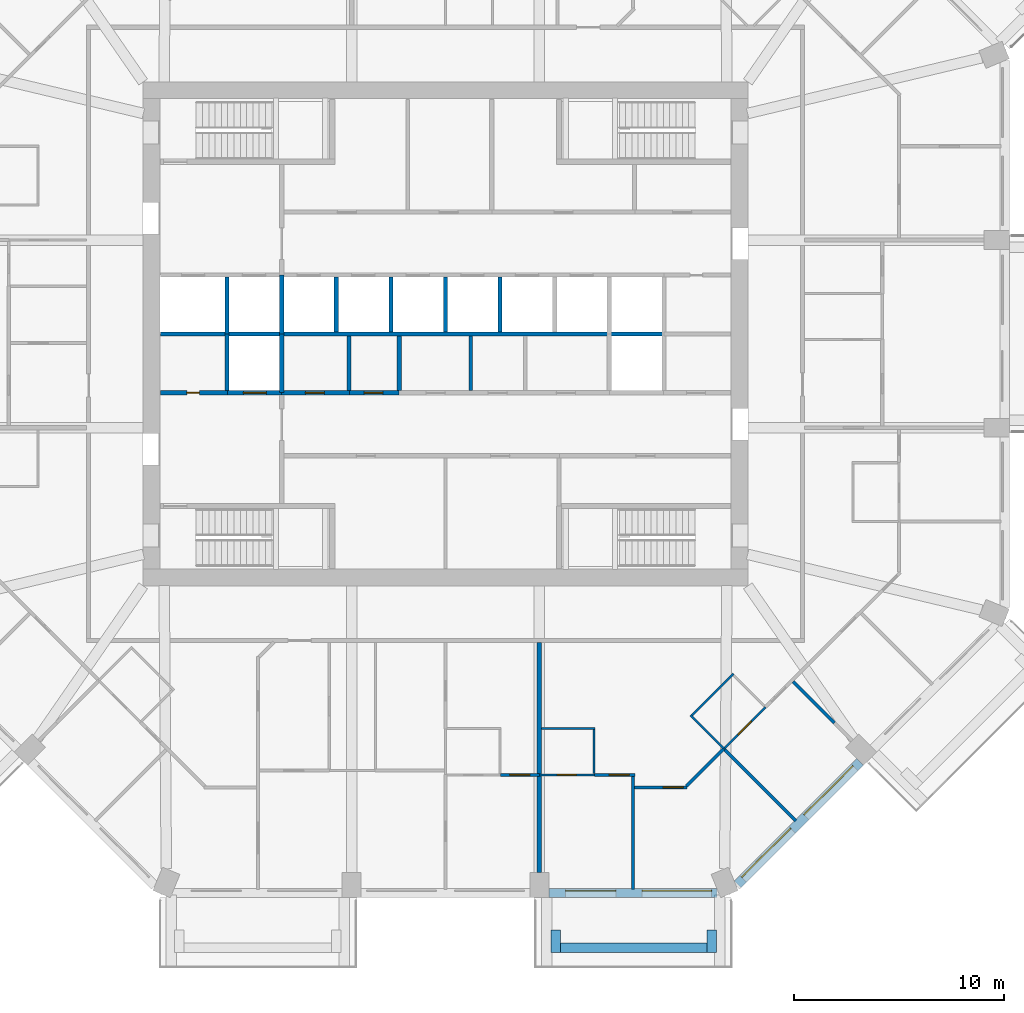
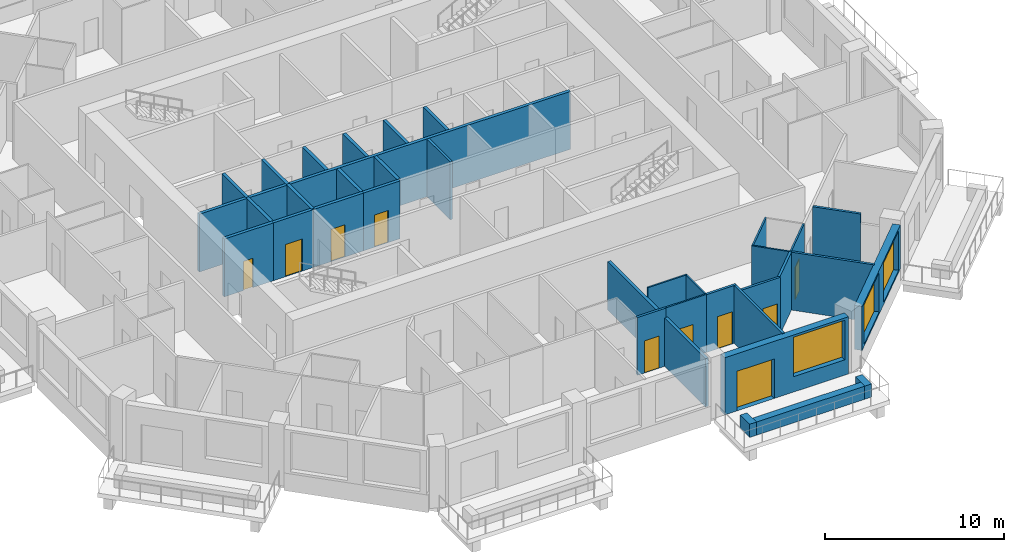
# One storey, part 5 of 13: 35 walls, 10 doors, 3 windows, 13 openings.
"""IFC4 building model written with IfcOpenShell, lengths in metres."""

import ifcopenshell
import ifcopenshell.guid

model = None  # the IFC model being written
_history = None  # IfcOwnerHistory: only IFC2X3 demands one
_inside = {}  # id of a spatial element -> (the spatial element, [elements in it])
_under = {}  # id of a project, library or spatial element -> (it, [spatial elements below it])
_declared = {}  # id of a project -> (the project, [libraries it declares])
_typed = {}  # id of a type object -> (the type object, [elements of that type])
_made_of = {}  # id of a material, layer set ... -> (it, [elements and type objects made of it])


def new_model(schema):
    """Start an empty IFC model of exactly this schema.

    Asked for "IFC4X3", IfcOpenShell would pick the latest addendum, in which some entities
    have other attributes; the version numbers below select the first issue.
    IFC2X3 requires an IfcOwnerHistory on every rooted entity: one is made here for all.
    """
    global model, _history
    if schema == "IFC4X3":
        model = ifcopenshell.file(schema_version=(4, 3, 0, 0))
    else:
        model = ifcopenshell.file(schema=schema)
    _inside.clear()
    _under.clear()
    _declared.clear()
    _typed.clear()
    _made_of.clear()
    _history = None
    if model.schema == "IFC2X3":
        org = make("IfcOrganization", Name="unknown")
        user = make(
            "IfcPersonAndOrganization",
            ThePerson=make("IfcPerson", FamilyName="unknown"),
            TheOrganization=org,
        )
        app = make(
            "IfcApplication",
            ApplicationDeveloper=org,
            Version="unknown",
            ApplicationFullName="unknown",
            ApplicationIdentifier="unknown",
        )
        _history = make(
            "IfcOwnerHistory",
            OwningUser=user,
            OwningApplication=app,
            ChangeAction="ADDED",
            CreationDate=0,
        )
    return model


def make(cls, **values):
    """One entity of the class cls with the attributes given. An attribute that is None is left unset."""
    return model.create_entity(
        cls, **{name: value for name, value in values.items() if value is not None}
    )


def rooted(cls, **values):
    """An entity with a GlobalId (a new one), such as an element, a storey or a relation."""
    return make(cls, GlobalId=ifcopenshell.guid.new(), OwnerHistory=_history, **values)


def si_unit(unit_type, name, prefix=None):
    """IfcSIUnit, for example si_unit("LENGTHUNIT", "METRE", prefix="MILLI")."""
    return make("IfcSIUnit", UnitType=unit_type, Prefix=prefix, Name=name)


def assignment(units):
    """IfcUnitAssignment: the units of a project."""
    return None if units is None else make("IfcUnitAssignment", Units=units)


def point(xyz):
    """IfcCartesianPoint."""
    return None if xyz is None else make("IfcCartesianPoint", Coordinates=xyz)


def direction(xyz):
    """IfcDirection."""
    return None if xyz is None else make("IfcDirection", DirectionRatios=xyz)


def frame(location, z_axis=None, x_axis=None):
    """IfcAxis2Placement3D, a coordinate frame: its origin and axes. An axis left out is left unset."""
    return make(
        "IfcAxis2Placement3D",
        Location=point(location),
        Axis=direction(z_axis),
        RefDirection=direction(x_axis),
    )


def frame_2d(location, x_axis=None):
    """IfcAxis2Placement2D, a coordinate frame in the plane: its origin and x axis."""
    return make(
        "IfcAxis2Placement2D", Location=point(location), RefDirection=direction(x_axis)
    )


def origin():
    """The frame at (0, 0, 0) with its axes left unset."""
    return frame((0.0, 0.0, 0.0))


def place(relative_to, where):
    """IfcLocalPlacement: puts the frame where relative to a parent placement (None: the world)."""
    return make(
        "IfcLocalPlacement", PlacementRelTo=relative_to, RelativePlacement=where
    )


def context(
    kind, dimensions, precision=None, world=None, true_north=None, identifier=None
):
    """IfcGeometricRepresentationContext, for example the 3D "Model" context."""
    return make(
        "IfcGeometricRepresentationContext",
        ContextIdentifier=identifier,
        ContextType=kind,
        CoordinateSpaceDimension=dimensions,
        Precision=precision,
        WorldCoordinateSystem=world,
        TrueNorth=true_north,
    )


def subcontext(parent, identifier, kind, view, scale=None):
    """IfcGeometricRepresentationSubContext, for example "Body" below "Model"."""
    return make(
        "IfcGeometricRepresentationSubContext",
        ContextIdentifier=identifier,
        ContextType=kind,
        ParentContext=parent,
        TargetScale=scale,
        TargetView=view,
    )


def project(units=None, contexts=None):
    """IfcProject with its units and contexts."""
    return rooted(
        "IfcProject",
        Name="project",
        RepresentationContexts=contexts,
        UnitsInContext=assignment(units),
    )


def spatial(cls, under=None, at=None, **own):
    """A site, building, storey or space (cls), placed at a placement, below another one or the project."""
    s = rooted(cls, ObjectPlacement=at, **own)
    if under is not None:
        _under.setdefault(under.id(), (under, []))[1].append(s)
    return s


def profile(cls, at=None, kind="AREA", **sizes):
    """A parametric profile (cls). Its sizes go by their IFC names, for example OverallWidth=200.0."""
    return make(cls, ProfileType=kind, Position=at, **sizes)


def rectangle(**sizes):
    """IfcRectangleProfileDef."""
    return profile("IfcRectangleProfileDef", **sizes)


def extrude(swept, where, along, depth):
    """IfcExtrudedAreaSolid: the profile swept, set in the frame where, extruded along a direction by depth."""
    return make(
        "IfcExtrudedAreaSolid",
        SweptArea=swept,
        Position=where,
        ExtrudedDirection=direction(along),
        Depth=depth,
    )


def shape(context_of_items, identifier, shape_type, items):
    """IfcShapeRepresentation: the items that make up one representation, for example the "Body"."""
    return make(
        "IfcShapeRepresentation",
        ContextOfItems=context_of_items,
        RepresentationIdentifier=identifier,
        RepresentationType=shape_type,
        Items=items,
    )


def material(Name=None, Category=None):
    """IfcMaterial."""
    return make("IfcMaterial", Name=Name, Category=Category)


def layer(
    of_material, thickness, ventilated=None, Name=None, Category=None, Priority=None
):
    """IfcMaterialLayer: one layer of a wall or slab, of a material (None: an air gap)."""
    return make(
        "IfcMaterialLayer",
        Material=of_material,
        LayerThickness=thickness,
        IsVentilated=ventilated,
        Name=Name,
        Category=Category,
        Priority=Priority,
    )


def layer_set(layers, Name=None):
    """IfcMaterialLayerSet."""
    return make("IfcMaterialLayerSet", MaterialLayers=layers, LayerSetName=Name)


def made_of(thing, what):
    """Note that an element or type object is made of a material, layer set ...; save() writes the relation."""
    if what is not None:
        _made_of.setdefault(what.id(), (what, []))[1].append(thing)
    return thing


def type_object(cls, material=None, **own):
    """A type object (cls), such as IfcWallType, which elements share."""
    return made_of(rooted(cls, **own), material)


def element(
    cls,
    number,
    at=None,
    inside=None,
    cuts=None,
    type_object=None,
    material=None,
    context=None,
    identifier="Body",
    shape_type=None,
    held_by="IfcProductDefinitionShape",
    body=None,
    shapes=None,
    **own,
):
    """One element of the class cls, such as IfcWall. Its Tag is "e" and its number.

    at: its placement. inside: the storey or other place that contains it. cuts: it is an
    opening in that element (IfcRelVoidsElement). A single representation is given by context,
    identifier, shape_type and body (its items); several are given by shapes. held_by: the class
    of the entity that holds the representations. save() writes the other relations.
    """
    e = rooted(cls, Tag="e%d" % number, ObjectPlacement=at, **own)
    if body is not None:
        shapes = [shape(context, identifier, shape_type, body)]
    if shapes is not None:
        e.Representation = make(held_by, Representations=shapes)
    if inside is not None:
        _inside.setdefault(inside.id(), (inside, []))[1].append(e)
    if cuts is not None:
        rooted(
            "IfcRelVoidsElement", RelatingBuildingElement=cuts, RelatedOpeningElement=e
        )
    if type_object is not None:
        _typed.setdefault(type_object.id(), (type_object, []))[1].append(e)
    return made_of(e, material)


def fill(opening, filler):
    """IfcRelFillsElement: the door or window that sits in an opening."""
    return rooted(
        "IfcRelFillsElement",
        RelatingOpeningElement=opening,
        RelatedBuildingElement=filler,
    )


def aggregate(whole, parts):
    """IfcRelAggregates: a whole, such as a stair, and the parts it consists of."""
    return rooted("IfcRelAggregates", RelatingObject=whole, RelatedObjects=parts)


def save(model, path):
    """Write the relations noted so far, then the file.

    IfcRelAggregates (storeys below a building ...), IfcRelContainedInSpatialStructure (elements
    in a storey), IfcRelDefinesByType, IfcRelAssociatesMaterial and IfcRelDeclares: one each for
    every whole, place, type object, material and project.
    """
    for whole, parts in _under.values():
        aggregate(whole, parts)
    for where, things in _inside.values():
        rooted(
            "IfcRelContainedInSpatialStructure",
            RelatedElements=things,
            RelatingStructure=where,
        )
    for kind, things in _typed.values():
        rooted("IfcRelDefinesByType", RelatedObjects=things, RelatingType=kind)
    for what, things in _made_of.values():
        rooted("IfcRelAssociatesMaterial", RelatedObjects=things, RelatingMaterial=what)
    for by, libraries in _declared.values():
        rooted("IfcRelDeclares", RelatingContext=by, RelatedDefinitions=libraries)
    model.write(path)


model = new_model("IFC4")

# Units and contexts
model_context = context("Model", 3, precision=1e-05, world=origin(), true_north=direction((0.0, 1.0)))
body_context = subcontext(model_context, "Body", "Model", "MODEL_VIEW")
ifc_project = project(units=[si_unit("LENGTHUNIT", "METRE"), si_unit("AREAUNIT", "SQUARE_METRE"), si_unit("VOLUMEUNIT", "CUBIC_METRE"), si_unit("PLANEANGLEUNIT", "RADIAN"), si_unit("MASSUNIT", "GRAM", prefix="KILO")], contexts=[model_context])

# Site, building, storey
site_placement = place(None, origin())
site = spatial("IfcSite", under=ifc_project, at=site_placement, CompositionType="ELEMENT")
building_placement = place(site_placement, origin())
building = spatial("IfcBuilding", under=site, at=building_placement, Name="Msitu Wima Residences", CompositionType="ELEMENT")
storey_placement = place(building_placement, frame((0.0, 0.0, 114.89990234375)))
storey = spatial("IfcBuildingStorey", under=building, at=storey_placement, Name="L26", CompositionType="ELEMENT", Elevation=114.89990234375)

# Walls
ifc_material_1 = material(Name="Facing brick")
ifc_layer_1 = layer(ifc_material_1, 0.06494140625, Name="Facing brick")
ifc_material_2 = material(Name="Concrete C40/50", Category="concrete")
ifc_layer_2 = layer(ifc_material_2, 0.156005859375, Name="Concrete C40/50")
ifc_material_3 = material(Name="Waterproofing membrane")
ifc_layer_3 = layer(ifc_material_3, 0.00390625, Name="Waterproofing membrane")
ifc_material_4 = material(Name="Planting soil and planting")
ifc_layer_4 = layer(ifc_material_4, 0.22509765625, Name="Planting soil and planting")
ifc_layer_set_1 = layer_set([ifc_layer_1, ifc_layer_2, ifc_layer_3, ifc_layer_4], Name="Concrete C40/50")
wall_type_1 = type_object("IfcWallType", Name="Balcony planter PLANTER PL450", PredefinedType="USERDEFINED", material=ifc_layer_set_1)
wall_1_placement = place(storey_placement, frame((5.468505859375, -29.22509765625, 0.0), z_axis=(0.0, 0.0, 1.0), x_axis=(1.0, 0.0, 0.0)))
element("IfcWall", 1, at=wall_1_placement, inside=storey, type_object=wall_type_1, Name="Balcony planter S2 L26", ObjectType="PLANTER", PredefinedType="USERDEFINED", context=body_context, shape_type="SweptSolid", body=[
    extrude(rectangle(XDim=6.9873046875, YDim=0.449951171875, at=frame_2d((3.49365234375, 0.0))), origin(), (0.0, 0.0, 1.0), 0.900146484375),
])
for number, where, z_axis, x_axis, name in (
    (2, (5.24365234375, -28.39990234375, 0.0), (0.0, 0.0, 1.0), (0.0, -1.0, 0.0), "Balcony planter S2 L26"),
    (3, (12.680908203125, -28.39990234375, 0.0), (0.0, 0.0, 1.0), (0.0, -1.0, 0.0), "Balcony planter S2 L26"),
):
    element("IfcWall", number, at=place(storey_placement, frame(where, z_axis=z_axis, x_axis=x_axis)), inside=storey, type_object=wall_type_1, Name=name, ObjectType="PLANTER", PredefinedType="USERDEFINED", context=body_context, shape_type="SweptSolid", body=[
        extrude(rectangle(XDim=1.050048828125, YDim=0.449951171875, at=frame_2d((0.52490234375, 0.0))), origin(), (0.0, 0.0, 1.0), 0.900146484375),
    ])

# Wall, openings, door, window
ifc_material_5 = material(Name="Brick (red buff mix)", Category="masonry")
ifc_layer_5 = layer(ifc_material_5, 0.449951171875)
ifc_layer_set_2 = layer_set([ifc_layer_5], Name="Brick (red buff mix)")
wall_type_2 = type_object("IfcWallType", Name="Brick infill wall BW450", PredefinedType="SOLIDWALL", material=ifc_layer_set_2)
wall_2_placement = place(storey_placement, frame((4.918701171875, -26.625, 0.0), z_axis=(0.0, 0.0, 1.0), x_axis=(1.0, 0.0, 0.0)))
wall_2 = element("IfcWall", 4, at=wall_2_placement, inside=storey, type_object=wall_type_2, Name="Brick infill wall L26 S2", PredefinedType="SOLIDWALL", context=body_context, shape_type="SweptSolid", body=[
    extrude(rectangle(XDim=8.0, YDim=0.449951171875, at=frame_2d((4.0, 0.0))), origin(), (0.0, 0.0, 1.0), 3.900146484375),
])
opening_1_placement = place(wall_2_placement, frame((0.800048828125, 0.0, 0.0)))
opening_1 = element("IfcOpeningElement", 5, at=opening_1_placement, cuts=wall_2, Name="Opening D25-26.007", PredefinedType="OPENING", context=body_context, shape_type="SweptSolid", body=[
    extrude(rectangle(XDim=2.39990234375, YDim=2.699951171875, at=frame_2d((1.199951171875, 1.35009765625))), frame((0.0, 0.23486328125, 0.0), z_axis=(0.0, -1.0, 0.0), x_axis=(1.0, 0.0, 0.0)), (0.0, 0.0, 1.0), 0.469970703125),
])
opening_2_placement = place(wall_2_placement, frame((4.4501953125, 0.0, 1.050048828125)))
opening_2 = element("IfcOpeningElement", 6, at=opening_2_placement, cuts=wall_2, Name="Opening W25-26.019", PredefinedType="OPENING", context=body_context, shape_type="SweptSolid", body=[
    extrude(rectangle(XDim=3.300048828125, YDim=2.699951171875, at=frame_2d((1.64990234375, 1.35009765625))), frame((0.0, 0.23486328125, 0.0), z_axis=(0.0, -1.0, 0.0), x_axis=(1.0, 0.0, 0.0)), (0.0, 0.0, 1.0), 0.469970703125),
])
ifc_material_6 = material(Name="Anodised aluminium, bronze finish, clear low-emissivity double glazing", Category="aluminium")
door_type_1 = type_object("IfcDoorType", Name="Balcony door D2400x2700", OperationType="SLIDING_TO_LEFT", PredefinedType="DOOR", material=ifc_material_6)
door_1_placement = place(opening_1_placement, origin())
door_1 = element("IfcDoor", 7, at=door_1_placement, inside=storey, type_object=door_type_1, Name="Balcony door L26 S2", OperationType="SINGLE_SWING_LEFT", OverallHeight=2.699951171875, OverallWidth=2.39990234375, PredefinedType="DOOR", context=body_context, shape_type="SweptSolid", body=[
    extrude(rectangle(XDim=2.39990234375, YDim=2.699951171875, at=frame_2d((1.199951171875, 1.35009765625))), frame((0.0, 0.1298828125, 0.0), z_axis=(0.0, -1.0, 0.0), x_axis=(1.0, 0.0, 0.0)), (0.0, 0.0, 1.0), 0.050048828125),
])
fill(opening_1, door_1)
window_type = type_object("IfcWindowType", Name="Window W3300x2700", PartitioningType="DOUBLE_PANEL_VERTICAL", PredefinedType="WINDOW", material=ifc_material_6)
window_1_placement = place(opening_2_placement, origin())
window_1 = element("IfcWindow", 8, at=window_1_placement, inside=storey, type_object=window_type, Name="Window L26 S2.2", OverallHeight=2.699951171875, OverallWidth=3.300048828125, PartitioningType="SINGLE_PANEL", PredefinedType="WINDOW", context=body_context, shape_type="SweptSolid", body=[
    extrude(rectangle(XDim=3.300048828125, YDim=2.699951171875, at=frame_2d((1.64990234375, 1.35009765625))), frame((0.0, 0.135009765625, 0.0), z_axis=(0.0, -1.0, 0.0), x_axis=(1.0, 0.0, 0.0)), (0.0, 0.0, 1.0), 0.06005859375),
])
fill(opening_2, window_1)

# Wall, openings, windows
wall_3_placement = place(storey_placement, frame((13.909423828125, -26.214599609375, 0.900146484375), z_axis=(0.0, 0.0, 1.0), x_axis=(0.707106781187, 0.707106781187, 0.0)))
wall_3 = element("IfcWall", 9, at=wall_3_placement, inside=storey, type_object=wall_type_2, Name="Brick infill wall L26 SE0", PredefinedType="SOLIDWALL", context=body_context, shape_type="SweptSolid", body=[
    extrude(rectangle(XDim=8.251220703125, YDim=0.449951171875, at=frame_2d((4.12548828125, 0.0))), origin(), (0.0, 0.0, 1.0), 3.0),
])
opening_3_placement = place(wall_3_placement, frame((0.37548828125, 0.0, 0.14990234375)))
opening_3 = element("IfcOpeningElement", 10, at=opening_3_placement, cuts=wall_3, Name="Opening W25-26.020", PredefinedType="OPENING", context=body_context, shape_type="SweptSolid", body=[
    extrude(rectangle(XDim=3.300048828125, YDim=2.699951171875, at=frame_2d((1.64990234375, 1.35009765625))), frame((0.0, 0.23486328125, 0.0), z_axis=(0.0, -1.0, 0.0), x_axis=(1.0, 0.0, 0.0)), (0.0, 0.0, 1.0), 0.469970703125),
])
opening_4_placement = place(wall_3_placement, frame((4.57568359375, 0.0, 0.14990234375)))
opening_4 = element("IfcOpeningElement", 11, at=opening_4_placement, cuts=wall_3, Name="Opening W25-26.021", PredefinedType="OPENING", context=body_context, shape_type="SweptSolid", body=[
    extrude(rectangle(XDim=3.300048828125, YDim=2.699951171875, at=frame_2d((1.64990234375, 1.35009765625))), frame((0.0, 0.23486328125, 0.0), z_axis=(0.0, -1.0, 0.0), x_axis=(1.0, 0.0, 0.0)), (0.0, 0.0, 1.0), 0.469970703125),
])
window_2_placement = place(opening_3_placement, origin())
window_2 = element("IfcWindow", 12, at=window_2_placement, inside=storey, type_object=window_type, Name="Window L26 SE0.1", OverallHeight=2.699951171875, OverallWidth=3.300048828125, PartitioningType="SINGLE_PANEL", PredefinedType="WINDOW", context=body_context, shape_type="SweptSolid", body=[
    extrude(rectangle(XDim=3.300048828125, YDim=2.699951171875, at=frame_2d((1.64990234375, 1.35009765625))), frame((0.0, 0.135009765625, 0.0), z_axis=(0.0, -1.0, 0.0), x_axis=(1.0, 0.0, 0.0)), (0.0, 0.0, 1.0), 0.06005859375),
])
fill(opening_3, window_2)
window_3_placement = place(opening_4_placement, origin())
window_3 = element("IfcWindow", 13, at=window_3_placement, inside=storey, type_object=window_type, Name="Window L26 SE0.2", OverallHeight=2.699951171875, OverallWidth=3.300048828125, PartitioningType="SINGLE_PANEL", PredefinedType="WINDOW", context=body_context, shape_type="SweptSolid", body=[
    extrude(rectangle(XDim=3.300048828125, YDim=2.699951171875, at=frame_2d((1.64990234375, 1.35009765625))), frame((0.0, 0.135009765625, 0.0), z_axis=(0.0, -1.0, 0.0), x_axis=(1.0, 0.0, 0.0)), (0.0, 0.0, 1.0), 0.06005859375),
])
fill(opening_4, window_3)

# Wall, opening, door
ifc_material_7 = material(Name="Plaster")
ifc_layer_6 = layer(ifc_material_7, 0.011962890625, Name="Plaster")
ifc_material_8 = material(Name="Concrete blockwork", Category="masonry")
ifc_layer_7 = layer(ifc_material_8, 0.176025390625, Name="Concrete blockwork")
ifc_layer_8 = layer(ifc_material_7, 0.011962890625, Name="Plaster")
ifc_layer_set_3 = layer_set([ifc_layer_6, ifc_layer_7, ifc_layer_8], Name="Concrete blockwork")
wall_type_3 = type_object("IfcWallType", Name="Corridor wall FW200", PredefinedType="PARTITIONING", material=ifc_layer_set_3)
wall_4_placement = place(storey_placement, frame((-7.820068359375, -2.800048828125, 0.0), z_axis=(0.0, 0.0, 1.0), x_axis=(1.0, 0.0, 0.0)))
wall_4 = element("IfcWall", 14, at=wall_4_placement, inside=storey, type_object=wall_type_3, Name="Corridor wall", PredefinedType="PARTITIONING", context=body_context, shape_type="SweptSolid", body=[
    extrude(rectangle(XDim=3.239990234375, YDim=0.199951171875, at=frame_2d((1.6201171875, 0.0))), origin(), (0.0, 0.0, 1.0), 3.9501953125),
])
opening_5_placement = place(wall_4_placement, frame((1.14990234375, 0.0, 0.0)))
opening_5 = element("IfcOpeningElement", 15, at=opening_5_placement, cuts=wall_4, Name="Opening D25-26.031", PredefinedType="OPENING", context=body_context, shape_type="SweptSolid", body=[
    extrude(rectangle(XDim=0.89990234375, YDim=2.199951171875, at=frame_2d((0.449951171875, 1.10009765625))), frame((0.0, 0.10986328125, 0.0), z_axis=(0.0, -1.0, 0.0), x_axis=(1.0, 0.0, 0.0)), (0.0, 0.0, 1.0), 0.219970703125),
])
ifc_material_9 = material(Name="Timber flush door", Category="wood")
door_type_2 = type_object("IfcDoorType", Name="Service door D05 900x2200", OperationType="SINGLE_SWING_LEFT", PredefinedType="DOOR", material=ifc_material_9)
door_2_placement = place(opening_5_placement, origin())
door_2 = element("IfcDoor", 16, at=door_2_placement, inside=storey, type_object=door_type_2, Name="Service door", OperationType="SINGLE_SWING_LEFT", OverallHeight=2.199951171875, OverallWidth=0.89990234375, PredefinedType="DOOR", context=body_context, shape_type="SweptSolid", body=[
    extrude(rectangle(XDim=0.89990234375, YDim=2.199951171875, at=frame_2d((0.449951171875, 1.10009765625))), frame((0.0, 0.02490234375, 0.0), z_axis=(0.0, -1.0, 0.0), x_axis=(1.0, 0.0, 0.0)), (0.0, 0.0, 1.0), 0.050048828125),
])
fill(opening_5, door_2)

# Wall
ifc_layer_9 = layer(ifc_material_7, 0.011962890625, Name="Plaster")
ifc_layer_10 = layer(ifc_material_8, 0.1259765625, Name="Concrete blockwork")
ifc_layer_11 = layer(ifc_material_7, 0.011962890625, Name="Plaster")
ifc_layer_set_4 = layer_set([ifc_layer_9, ifc_layer_10, ifc_layer_11], Name="Concrete blockwork")
wall_type_4 = type_object("IfcWallType", Name="Partition PW150", PredefinedType="PARTITIONING", material=ifc_layer_set_4)
wall_5_placement = place(storey_placement, frame((1.199951171875, -2.699951171875, 0.0), z_axis=(0.0, 0.0, 1.0), x_axis=(0.0, 1.0, 0.0)))
element("IfcWall", 17, at=wall_5_placement, inside=storey, type_object=wall_type_4, Name="Partition", PredefinedType="PARTITIONING", context=body_context, shape_type="SweptSolid", body=[
    extrude(rectangle(XDim=2.599853515625, YDim=0.14990234375, at=frame_2d((1.2998046875, 0.0))), origin(), (0.0, 0.0, 1.0), 3.9501953125),
])

# Wall, opening, door
wall_6_placement = place(storey_placement, frame((2.6201171875, -21.0, 0.0), z_axis=(0.0, 0.0, 1.0), x_axis=(1.0, 0.0, 0.0)))
wall_6 = element("IfcWall", 18, at=wall_6_placement, inside=storey, type_object=wall_type_4, Name="Partition", PredefinedType="PARTITIONING", context=body_context, shape_type="SweptSolid", body=[
    extrude(rectangle(XDim=1.8486328125, YDim=0.14990234375, at=frame_2d((0.92431640625, 0.0))), origin(), (0.0, 0.0, 1.0), 3.9501953125),
])
opening_6_placement = place(wall_6_placement, frame((0.449951171875, 0.0, 0.0)))
opening_6 = element("IfcOpeningElement", 19, at=opening_6_placement, cuts=wall_6, Name="Opening D25-26.074", PredefinedType="OPENING", context=body_context, shape_type="SweptSolid", body=[
    extrude(rectangle(XDim=0.949951171875, YDim=2.199951171875, at=frame_2d((0.47509765625, 1.10009765625))), frame((0.0, 0.0849609375, 0.0), z_axis=(0.0, -1.0, 0.0), x_axis=(1.0, 0.0, 0.0)), (0.0, 0.0, 1.0), 0.169921875),
])
door_type_3 = type_object("IfcDoorType", Name="Room door D12 950x2200", OperationType="SINGLE_SWING_LEFT", PredefinedType="DOOR", material=ifc_material_9)
door_3_placement = place(opening_6_placement, origin())
door_3 = element("IfcDoor", 20, at=door_3_placement, inside=storey, type_object=door_type_3, Name="Room door", OperationType="SINGLE_SWING_LEFT", OverallHeight=2.199951171875, OverallWidth=0.949951171875, PredefinedType="DOOR", context=body_context, shape_type="SweptSolid", body=[
    extrude(rectangle(XDim=0.949951171875, YDim=2.199951171875, at=frame_2d((0.47509765625, 1.10009765625))), frame((0.0, 0.02490234375, 0.0), z_axis=(0.0, -1.0, 0.0), x_axis=(1.0, 0.0, 0.0)), (0.0, 0.0, 1.0), 0.050048828125),
])
fill(opening_6, door_3)

wall_7_placement = place(storey_placement, frame((7.088623046875, -21.0, 0.0), z_axis=(0.0, 0.0, 1.0), x_axis=(1.0, 0.0, 0.0)))
wall_7 = element("IfcWall", 21, at=wall_7_placement, inside=storey, type_object=wall_type_4, Name="Partition", PredefinedType="PARTITIONING", context=body_context, shape_type="SweptSolid", body=[
    extrude(rectangle(XDim=1.923583984375, YDim=0.14990234375, at=frame_2d((0.9619140625, 0.0))), origin(), (0.0, 0.0, 1.0), 3.9501953125),
])
opening_7_placement = place(wall_7_placement, frame((0.699951171875, 0.0, 0.0)))
opening_7 = element("IfcOpeningElement", 22, at=opening_7_placement, cuts=wall_7, Name="Opening D25-26.085", PredefinedType="OPENING", context=body_context, shape_type="SweptSolid", body=[
    extrude(rectangle(XDim=0.949951171875, YDim=2.199951171875, at=frame_2d((0.47509765625, 1.10009765625))), frame((0.0, 0.0849609375, 0.0), z_axis=(0.0, -1.0, 0.0), x_axis=(1.0, 0.0, 0.0)), (0.0, 0.0, 1.0), 0.169921875),
])
door_4_placement = place(opening_7_placement, origin())
door_4 = element("IfcDoor", 23, at=door_4_placement, inside=storey, type_object=door_type_3, Name="Room door", OperationType="SINGLE_SWING_LEFT", OverallHeight=2.199951171875, OverallWidth=0.949951171875, PredefinedType="DOOR", context=body_context, shape_type="SweptSolid", body=[
    extrude(rectangle(XDim=0.949951171875, YDim=2.199951171875, at=frame_2d((0.47509765625, 1.10009765625))), frame((0.0, 0.02490234375, 0.0), z_axis=(0.0, -1.0, 0.0), x_axis=(1.0, 0.0, 0.0)), (0.0, 0.0, 1.0), 0.050048828125),
])
fill(opening_7, door_4)

# Wall
wall_8_placement = place(storey_placement, frame((8.937255859375, -26.455078125, 0.0), z_axis=(0.0, 0.0, 1.0), x_axis=(0.0, 1.0, 0.0)))
element("IfcWall", 24, at=wall_8_placement, inside=storey, type_object=wall_type_4, Name="Partition", PredefinedType="PARTITIONING", context=body_context, shape_type="SweptSolid", body=[
    extrude(rectangle(XDim=5.380126953125, YDim=0.14990234375, at=frame_2d((2.68994140625, 0.0))), origin(), (0.0, 0.0, 1.0), 3.9501953125),
])

# Wall, opening, door
wall_9_placement = place(storey_placement, frame((9.01220703125, -21.60009765625, 0.0), z_axis=(0.0, 0.0, 1.0), x_axis=(1.0, 0.0, 0.0)))
wall_9 = element("IfcWall", 25, at=wall_9_placement, inside=storey, type_object=wall_type_4, Name="Partition", PredefinedType="PARTITIONING", context=body_context, shape_type="SweptSolid", body=[
    extrude(rectangle(XDim=2.48046875, YDim=0.14990234375, at=frame_2d((1.240234375, 0.0))), origin(), (0.0, 0.0, 1.0), 3.9501953125),
])
opening_8_placement = place(wall_9_placement, frame((1.35009765625, 0.0, 0.0)))
opening_8 = element("IfcOpeningElement", 26, at=opening_8_placement, cuts=wall_9, Name="Opening D25-26.089", PredefinedType="OPENING", context=body_context, shape_type="SweptSolid", body=[
    extrude(rectangle(XDim=0.949951171875, YDim=2.199951171875, at=frame_2d((0.47509765625, 1.10009765625))), frame((0.0, 0.0849609375, 0.0), z_axis=(0.0, -1.0, 0.0), x_axis=(1.0, 0.0, 0.0)), (0.0, 0.0, 1.0), 0.169921875),
])
door_5_placement = place(opening_8_placement, origin())
door_5 = element("IfcDoor", 27, at=door_5_placement, inside=storey, type_object=door_type_3, Name="Room door", OperationType="SINGLE_SWING_RIGHT", OverallHeight=2.199951171875, OverallWidth=0.949951171875, PredefinedType="DOOR", context=body_context, shape_type="SweptSolid", body=[
    extrude(rectangle(XDim=0.949951171875, YDim=2.199951171875, at=frame_2d((0.47509765625, 1.10009765625))), frame((0.0, 0.02490234375, 0.0), z_axis=(0.0, -1.0, 0.0), x_axis=(1.0, 0.0, 0.0)), (0.0, 0.0, 1.0), 0.050048828125),
])
fill(opening_8, door_5)

# Walls
wall_10_placement = place(storey_placement, frame((11.470703125, -21.546875, 0.0), z_axis=(0.0, 0.0, 1.0), x_axis=(0.707106781187, 0.707106781187, 0.0)))
element("IfcWall", 28, at=wall_10_placement, inside=storey, type_object=wall_type_4, Name="Partition", PredefinedType="PARTITIONING", context=body_context, shape_type="SweptSolid", body=[
    extrude(rectangle(XDim=2.53076171875, YDim=0.14990234375, at=frame_2d((1.265380859375, 0.0))), origin(), (0.0, 0.0, 1.0), 3.9501953125),
])
wall_11_placement = place(storey_placement, frame((13.24609375, -19.7431640625, 0.0), z_axis=(0.0, 0.0, 1.0), x_axis=(0.707106781187, -0.707106781187, 0.0)))
element("IfcWall", 29, at=wall_11_placement, inside=storey, type_object=wall_type_4, Name="Partition", PredefinedType="PARTITIONING", context=body_context, shape_type="SweptSolid", body=[
    extrude(rectangle(XDim=4.875244140625, YDim=0.14990234375, at=frame_2d((2.4375, 0.0))), origin(), (0.0, 0.0, 1.0), 3.9501953125),
])
wall_12_placement = place(storey_placement, frame((16.561767578125, -16.561767578125, 0.0), z_axis=(0.0, 0.0, 1.0), x_axis=(0.707106781187, -0.707106781187, 0.0)))
element("IfcWall", 30, at=wall_12_placement, inside=storey, type_object=wall_type_4, Name="Partition", PredefinedType="PARTITIONING", context=body_context, shape_type="SweptSolid", body=[
    extrude(rectangle(XDim=2.765869140625, YDim=0.14990234375, at=frame_2d((1.3828125, 0.0))), origin(), (0.0, 0.0, 1.0), 3.9501953125),
])
ifc_layer_12 = layer(ifc_material_7, 0.011962890625, Name="Plaster")
ifc_material_10 = material(Name="Dense concrete blockwork", Category="masonry")
ifc_layer_13 = layer(ifc_material_10, 0.176025390625, Name="Dense concrete blockwork")
ifc_layer_14 = layer(ifc_material_7, 0.011962890625, Name="Plaster")
ifc_layer_set_5 = layer_set([ifc_layer_12, ifc_layer_13, ifc_layer_14], Name="Dense concrete blockwork")
wall_type_5 = type_object("IfcWallType", Name="Party wall PW200", PredefinedType="PARTITIONING", material=ifc_layer_set_5)
wall_13_placement = place(storey_placement, frame((4.46875, -25.64990234375, 0.0), z_axis=(0.0, 0.0, 1.0), x_axis=(0.0, 1.0, 0.0)))
element("IfcWall", 31, at=wall_13_placement, inside=storey, type_object=wall_type_5, Name="Party wall", PredefinedType="PARTITIONING", context=body_context, shape_type="SweptSolid", body=[
    extrude(rectangle(XDim=10.949951171875, YDim=0.199951171875, at=frame_2d((5.47509765625, 0.0))), origin(), (0.0, 0.0, 1.0), 3.300048828125),
])

# Wall, opening, door
ifc_layer_15 = layer(ifc_material_7, 0.011962890625, Name="Plaster")
ifc_material_11 = material(Name="Reinforced concrete blockwork", Category="masonry")
ifc_layer_16 = layer(ifc_material_11, 0.176025390625, Name="Reinforced concrete blockwork")
ifc_layer_17 = layer(ifc_material_7, 0.011962890625, Name="Plaster")
ifc_layer_set_6 = layer_set([ifc_layer_15, ifc_layer_16, ifc_layer_17], Name="Reinforced concrete blockwork")
wall_type_6 = type_object("IfcWallType", Name="Plant and riser wall PL200", PredefinedType="PARTITIONING", material=ifc_layer_set_6)
wall_14_placement = place(storey_placement, frame((-13.570068359375, -2.800048828125, 0.0), z_axis=(0.0, 0.0, 1.0), x_axis=(1.0, 0.0, 0.0)))
wall_14 = element("IfcWall", 32, at=wall_14_placement, inside=storey, type_object=wall_type_6, Name="Plant and riser wall", PredefinedType="PARTITIONING", context=body_context, shape_type="SweptSolid", body=[
    extrude(rectangle(XDim=3.190185546875, YDim=0.199951171875, at=frame_2d((1.59521484375, 0.0))), origin(), (0.0, 0.0, 1.0), 3.9501953125),
])
opening_9_placement = place(wall_14_placement, frame((1.25, 0.0, 0.0)))
opening_9 = element("IfcOpeningElement", 33, at=opening_9_placement, cuts=wall_14, Name="Opening D25-26.030", PredefinedType="OPENING", context=body_context, shape_type="SweptSolid", body=[
    extrude(rectangle(XDim=0.60009765625, YDim=2.0, at=frame_2d((0.300048828125, 1.0))), frame((0.0, 0.10986328125, 0.0), z_axis=(0.0, -1.0, 0.0), x_axis=(1.0, 0.0, 0.0)), (0.0, 0.0, 1.0), 0.219970703125),
])
ifc_material_12 = material(Name="Steel access door, fire resisting", Category="steel")
door_type_4 = type_object("IfcDoorType", Name="Riser access door D08 600x2000", OperationType="SINGLE_SWING_LEFT", PredefinedType="DOOR", material=ifc_material_12)
door_6_placement = place(opening_9_placement, origin())
door_6 = element("IfcDoor", 34, at=door_6_placement, inside=storey, type_object=door_type_4, Name="Riser access door", OperationType="SINGLE_SWING_RIGHT", OverallHeight=2.0, OverallWidth=0.60009765625, PredefinedType="DOOR", context=body_context, shape_type="SweptSolid", body=[
    extrude(rectangle(XDim=0.60009765625, YDim=2.0, at=frame_2d((0.300048828125, 1.0))), frame((0.0, 0.02490234375, 0.0), z_axis=(0.0, -1.0, 0.0), x_axis=(1.0, 0.0, 0.0)), (0.0, 0.0, 1.0), 0.050048828125),
])
fill(opening_9, door_6)

wall_15_placement = place(storey_placement, frame((-4.580078125, -2.800048828125, 0.0), z_axis=(0.0, 0.0, 1.0), x_axis=(1.0, 0.0, 0.0)))
wall_15 = element("IfcWall", 35, at=wall_15_placement, inside=storey, type_object=wall_type_6, Name="Plant and riser wall", PredefinedType="PARTITIONING", context=body_context, shape_type="SweptSolid", body=[
    extrude(rectangle(XDim=2.360107421875, YDim=0.199951171875, at=frame_2d((1.18017578125, 0.0))), origin(), (0.0, 0.0, 1.0), 3.9501953125),
])
opening_10_placement = place(wall_15_placement, frame((0.699951171875, 0.0, 0.0)))
opening_10 = element("IfcOpeningElement", 36, at=opening_10_placement, cuts=wall_15, Name="Opening D25-26.032", PredefinedType="OPENING", context=body_context, shape_type="SweptSolid", body=[
    extrude(rectangle(XDim=0.89990234375, YDim=2.199951171875, at=frame_2d((0.449951171875, 1.10009765625))), frame((0.0, 0.10986328125, 0.0), z_axis=(0.0, -1.0, 0.0), x_axis=(1.0, 0.0, 0.0)), (0.0, 0.0, 1.0), 0.219970703125),
])
door_7_placement = place(opening_10_placement, origin())
door_7 = element("IfcDoor", 37, at=door_7_placement, inside=storey, type_object=door_type_2, Name="Service door", OperationType="SINGLE_SWING_LEFT", OverallHeight=2.199951171875, OverallWidth=0.89990234375, PredefinedType="DOOR", context=body_context, shape_type="SweptSolid", body=[
    extrude(rectangle(XDim=0.89990234375, YDim=2.199951171875, at=frame_2d((0.449951171875, 1.10009765625))), frame((0.0, 0.02490234375, 0.0), z_axis=(0.0, -1.0, 0.0), x_axis=(1.0, 0.0, 0.0)), (0.0, 0.0, 1.0), 0.050048828125),
])
fill(opening_10, door_7)

# Walls
for number, where, z_axis, x_axis, name in (
    (38, (-4.60009765625, -2.699951171875, 0.0), (0.0, 0.0, 1.0), (0.0, 1.0, 0.0), "Plant and riser wall"),
    (39, (-2.199951171875, -2.699951171875, 0.0), (0.0, 0.0, 1.0), (0.0, 1.0, 0.0), "Plant and riser wall"),
):
    element("IfcWall", number, at=place(storey_placement, frame(where, z_axis=z_axis, x_axis=x_axis)), inside=storey, type_object=wall_type_6, Name=name, PredefinedType="PARTITIONING", context=body_context, shape_type="SweptSolid", body=[
        extrude(rectangle(XDim=2.599853515625, YDim=0.199951171875, at=frame_2d((1.2998046875, 0.0))), origin(), (0.0, 0.0, 1.0), 3.9501953125),
    ])
ifc_material_13 = material(Name="Fire-rated board")
ifc_layer_18 = layer(ifc_material_13, 0.02490234375, Name="Fire-rated board")
ifc_material_14 = material(Name="Light-gauge stud framing with mineral wool")
ifc_layer_19 = layer(ifc_material_14, 0.14990234375, Name="Light-gauge stud framing with mineral wool")
ifc_layer_20 = layer(ifc_material_13, 0.02490234375, Name="Fire-rated board")
ifc_layer_set_7 = layer_set([ifc_layer_18, ifc_layer_19, ifc_layer_20], Name="Light-gauge stud framing with mineral wool")
wall_type_7 = type_object("IfcWallType", Name="Shaft wall SH200", PredefinedType="PARTITIONING", material=ifc_layer_set_7)
wall_16_placement = place(storey_placement, frame((-13.570068359375, 0.0, 0.0), z_axis=(0.0, 0.0, 1.0), x_axis=(1.0, 0.0, 0.0)))
element("IfcWall", 40, at=wall_16_placement, inside=storey, type_object=wall_type_7, Name="Shaft wall", PredefinedType="PARTITIONING", context=body_context, shape_type="SweptSolid", body=[
    extrude(rectangle(XDim=23.969970703125, YDim=0.199951171875, at=frame_2d((11.98486328125, 0.0))), origin(), (0.0, 0.0, 1.0), 3.9501953125),
])
wall_17_placement = place(storey_placement, frame((-10.39990234375, -2.699951171875, 0.0), z_axis=(0.0, 0.0, 1.0), x_axis=(0.0, 1.0, 0.0)))
element("IfcWall", 41, at=wall_17_placement, inside=storey, type_object=wall_type_7, Name="Shaft wall", PredefinedType="PARTITIONING", context=body_context, shape_type="SweptSolid", body=[
    extrude(rectangle(XDim=2.699951171875, YDim=0.199951171875, at=frame_2d((1.35009765625, 0.0))), origin(), (0.0, 0.0, 1.0), 3.9501953125),
])

# Wall, opening, door
wall_18_placement = place(storey_placement, frame((-10.3798828125, -2.800048828125, 0.0), z_axis=(0.0, 0.0, 1.0), x_axis=(1.0, 0.0, 0.0)))
wall_18 = element("IfcWall", 42, at=wall_18_placement, inside=storey, type_object=wall_type_7, Name="Shaft wall", PredefinedType="PARTITIONING", context=body_context, shape_type="SweptSolid", body=[
    extrude(rectangle(XDim=2.559814453125, YDim=0.199951171875, at=frame_2d((1.27978515625, 0.0))), origin(), (0.0, 0.0, 1.0), 3.9501953125),
])
opening_11_placement = place(wall_18_placement, frame((0.75, 0.0, 0.0)))
opening_11 = element("IfcOpeningElement", 43, at=opening_11_placement, cuts=wall_18, Name="Opening LD", PredefinedType="OPENING", context=body_context, shape_type="SweptSolid", body=[
    extrude(rectangle(XDim=1.10009765625, YDim=2.199951171875, at=frame_2d((0.550048828125, 1.10009765625))), frame((0.0, 0.10986328125, 0.0), z_axis=(0.0, -1.0, 0.0), x_axis=(1.0, 0.0, 0.0)), (0.0, 0.0, 1.0), 0.219970703125),
])
ifc_material_15 = material(Name="Stainless steel centre-opening landing door, rated", Category="steel")
door_type_5 = type_object("IfcDoorType", Name="Lift landing door LD 1100x2200", OperationType="DOUBLE_DOOR_SLIDING", PredefinedType="DOOR", material=ifc_material_15)
door_8_placement = place(opening_11_placement, origin())
door_8 = element("IfcDoor", 44, at=door_8_placement, inside=storey, type_object=door_type_5, Name="Lift landing door LD3", OperationType="DOUBLE_DOOR_SLIDING", OverallHeight=2.199951171875, OverallWidth=1.10009765625, PredefinedType="DOOR", context=body_context, shape_type="SweptSolid", body=[
    extrude(rectangle(XDim=1.10009765625, YDim=2.199951171875, at=frame_2d((0.550048828125, 1.10009765625))), frame((0.0, 0.02490234375, 0.0), z_axis=(0.0, -1.0, 0.0), x_axis=(1.0, 0.0, 0.0)), (0.0, 0.0, 1.0), 0.050048828125),
])
fill(opening_11, door_8)

# Walls
wall_19_placement = place(storey_placement, frame((-10.39990234375, 0.0, 0.0), z_axis=(0.0, 0.0, 1.0), x_axis=(0.0, 1.0, 0.0)))
element("IfcWall", 45, at=wall_19_placement, inside=storey, type_object=wall_type_7, Name="Shaft wall", PredefinedType="PARTITIONING", context=body_context, shape_type="SweptSolid", body=[
    extrude(rectangle(XDim=2.699951171875, YDim=0.199951171875, at=frame_2d((1.35009765625, 0.0))), origin(), (0.0, 0.0, 1.0), 3.9501953125),
])
for number, where, z_axis, x_axis, name in (
    (46, (-7.800048828125, -2.800048828125, 0.0), (0.0, 0.0, 1.0), (0.0, 1.0, 0.0), "Shaft wall"),
    (47, (-7.800048828125, 0.0, 0.0), (0.0, 0.0, 1.0), (0.0, 1.0, 0.0), "Shaft wall"),
):
    element("IfcWall", number, at=place(storey_placement, frame(where, z_axis=z_axis, x_axis=x_axis)), inside=storey, type_object=wall_type_7, Name=name, PredefinedType="PARTITIONING", context=body_context, shape_type="SweptSolid", body=[
        extrude(rectangle(XDim=2.800048828125, YDim=0.199951171875, at=frame_2d((1.39990234375, 0.0))), origin(), (0.0, 0.0, 1.0), 3.9501953125),
    ])
for number, where, z_axis, x_axis, name in (
    (48, (-5.199951171875, 0.10009765625, 0.0), (0.0, 0.0, 1.0), (0.0, 1.0, 0.0), "Shaft wall"),
    (49, (-2.60009765625, 0.10009765625, 0.0), (0.0, 0.0, 1.0), (0.0, 1.0, 0.0), "Shaft wall"),
    (50, (0.0, 0.10009765625, 0.0), (0.0, 0.0, 1.0), (0.0, 1.0, 0.0), "Shaft wall"),
    (51, (2.60009765625, 0.10009765625, 0.0), (0.0, 0.0, 1.0), (0.0, 1.0, 0.0), "Shaft wall"),
):
    element("IfcWall", number, at=place(storey_placement, frame(where, z_axis=z_axis, x_axis=x_axis)), inside=storey, type_object=wall_type_7, Name=name, PredefinedType="PARTITIONING", context=body_context, shape_type="SweptSolid", body=[
        extrude(rectangle(XDim=2.599853515625, YDim=0.199951171875, at=frame_2d((1.2998046875, 0.0))), origin(), (0.0, 0.0, 1.0), 3.9501953125),
    ])

# Wall, opening, door
ifc_material_16 = material(Name="Ceramic tiles")
ifc_layer_21 = layer(ifc_material_16, 0.008056640625, Name="Ceramic tiles")
ifc_material_17 = material(Name="Moisture-resistant board")
ifc_layer_22 = layer(ifc_material_17, 0.012451171875, Name="Moisture-resistant board")
ifc_layer_23 = layer(ifc_material_14, 0.06689453125, Name="Light-gauge stud framing with mineral wool")
ifc_layer_24 = layer(ifc_material_17, 0.012451171875, Name="Moisture-resistant board")
ifc_layer_set_8 = layer_set([ifc_layer_21, ifc_layer_22, ifc_layer_23, ifc_layer_24], Name="Light-gauge stud framing with mineral wool")
wall_type_8 = type_object("IfcWallType", Name="Wet wall PW100", PredefinedType="PARTITIONING", material=ifc_layer_set_8)
wall_20_placement = place(storey_placement, frame((4.46875, -21.0, 0.0), z_axis=(0.0, 0.0, 1.0), x_axis=(1.0, 0.0, 0.0)))
wall_20 = element("IfcWall", 52, at=wall_20_placement, inside=storey, type_object=wall_type_8, Name="Wet wall", PredefinedType="PARTITIONING", context=body_context, shape_type="SweptSolid", body=[
    extrude(rectangle(XDim=2.619873046875, YDim=0.10009765625, at=frame_2d((1.31005859375, 0.0))), origin(), (0.0, 0.0, 1.0), 3.9501953125),
])
opening_12_placement = place(wall_20_placement, frame((0.85009765625, 0.0, 0.0)))
opening_12 = element("IfcOpeningElement", 53, at=opening_12_placement, cuts=wall_20, Name="Opening D25-26.087", PredefinedType="OPENING", context=body_context, shape_type="SweptSolid", body=[
    extrude(rectangle(XDim=0.89990234375, YDim=2.199951171875, at=frame_2d((0.449951171875, 1.10009765625))), frame((0.0, 0.06005859375, 0.0), z_axis=(0.0, -1.0, 0.0), x_axis=(1.0, 0.0, 0.0)), (0.0, 0.0, 1.0), 0.1201171875),
])
ifc_material_18 = material(Name="Timber flush door, moisture resistant", Category="wood")
door_type_6 = type_object("IfcDoorType", Name="Bathroom door D03 900x2200", OperationType="SINGLE_SWING_LEFT", PredefinedType="DOOR", material=ifc_material_18)
door_9_placement = place(opening_12_placement, origin())
door_9 = element("IfcDoor", 54, at=door_9_placement, inside=storey, type_object=door_type_6, Name="Bathroom door", OperationType="SINGLE_SWING_LEFT", OverallHeight=2.199951171875, OverallWidth=0.89990234375, PredefinedType="DOOR", context=body_context, shape_type="SweptSolid", body=[
    extrude(rectangle(XDim=0.89990234375, YDim=2.199951171875, at=frame_2d((0.449951171875, 1.10009765625))), frame((0.0, 0.02490234375, 0.0), z_axis=(0.0, -1.0, 0.0), x_axis=(1.0, 0.0, 0.0)), (0.0, 0.0, 1.0), 0.050048828125),
])
fill(opening_12, door_9)

# Walls
wall_21_placement = place(storey_placement, frame((4.568603515625, -18.800048828125, 0.0), z_axis=(0.0, 0.0, 1.0), x_axis=(1.0, 0.0, 0.0)))
element("IfcWall", 55, at=wall_21_placement, inside=storey, type_object=wall_type_8, Name="Wet wall", PredefinedType="PARTITIONING", context=body_context, shape_type="SweptSolid", body=[
    extrude(rectangle(XDim=2.550048828125, YDim=0.10009765625, at=frame_2d((1.27490234375, 0.0))), origin(), (0.0, 0.0, 1.0), 3.9501953125),
])
wall_22_placement = place(storey_placement, frame((7.068603515625, -20.925048828125, 0.0), z_axis=(0.0, 0.0, 1.0), x_axis=(0.0, 1.0, 0.0)))
element("IfcWall", 56, at=wall_22_placement, inside=storey, type_object=wall_type_8, Name="Wet wall", PredefinedType="PARTITIONING", context=body_context, shape_type="SweptSolid", body=[
    extrude(rectangle(XDim=2.074951171875, YDim=0.10009765625, at=frame_2d((1.03759765625, 0.0))), origin(), (0.0, 0.0, 1.0), 3.9501953125),
])
wall_23_placement = place(storey_placement, frame((11.66943359375, -18.166259765625, 0.0), z_axis=(0.0, 0.0, 1.0), x_axis=(0.70705203673, -0.707161521405, 0.0)))
element("IfcWall", 57, at=wall_23_placement, inside=storey, type_object=wall_type_8, Name="Wet wall", PredefinedType="PARTITIONING", context=body_context, shape_type="SweptSolid", body=[
    extrude(rectangle(XDim=2.22998046875, YDim=0.10009765625, at=frame_2d((1.114990234375, 0.0))), origin(), (0.0, 0.0, 1.0), 3.9501953125),
])
wall_24_placement = place(storey_placement, frame((11.739990234375, -18.166259765625, 0.0), z_axis=(0.0, 0.0, 1.0), x_axis=(0.707150377276, 0.707063182409, 0.0)))
element("IfcWall", 58, at=wall_24_placement, inside=storey, type_object=wall_type_8, Name="Wet wall", PredefinedType="PARTITIONING", context=body_context, shape_type="SweptSolid", body=[
    extrude(rectangle(XDim=2.800048828125, YDim=0.10009765625, at=frame_2d((1.39990234375, 0.0))), origin(), (0.0, 0.0, 1.0), 3.9501953125),
])

# Wall, opening, door
wall_25_placement = place(storey_placement, frame((13.26025390625, -19.75732421875, 0.0), z_axis=(0.0, 0.0, 1.0), x_axis=(0.707106781187, 0.707106781187, 0.0)))
wall_25 = element("IfcWall", 59, at=wall_25_placement, inside=storey, type_object=wall_type_8, Name="Wet wall", PredefinedType="PARTITIONING", context=body_context, shape_type="SweptSolid", body=[
    extrude(rectangle(XDim=2.800048828125, YDim=0.10009765625, at=frame_2d((1.39990234375, 0.0))), origin(), (0.0, 0.0, 1.0), 3.9501953125),
])
opening_13_placement = place(wall_25_placement, frame((0.949951171875, 0.0, 0.0)))
opening_13 = element("IfcOpeningElement", 60, at=opening_13_placement, cuts=wall_25, Name="Opening D25-26.082", PredefinedType="OPENING", context=body_context, shape_type="SweptSolid", body=[
    extrude(rectangle(XDim=0.89990234375, YDim=2.199951171875, at=frame_2d((0.449951171875, 1.10009765625))), frame((0.0, 0.06005859375, 0.0), z_axis=(0.0, -1.0, 0.0), x_axis=(1.0, 0.0, 0.0)), (0.0, 0.0, 1.0), 0.1201171875),
])
door_10_placement = place(opening_13_placement, origin())
door_10 = element("IfcDoor", 61, at=door_10_placement, inside=storey, type_object=door_type_6, Name="Bathroom door", OperationType="SINGLE_SWING_RIGHT", OverallHeight=2.199951171875, OverallWidth=0.89990234375, PredefinedType="DOOR", context=body_context, shape_type="SweptSolid", body=[
    extrude(rectangle(XDim=0.89990234375, YDim=2.199951171875, at=frame_2d((0.449951171875, 1.10009765625))), frame((0.0, 0.02490234375, 0.0), z_axis=(0.0, -1.0, 0.0), x_axis=(1.0, 0.0, 0.0)), (0.0, 0.0, 1.0), 0.050048828125),
])
fill(opening_13, door_10)

save(model, "model.ifc")
